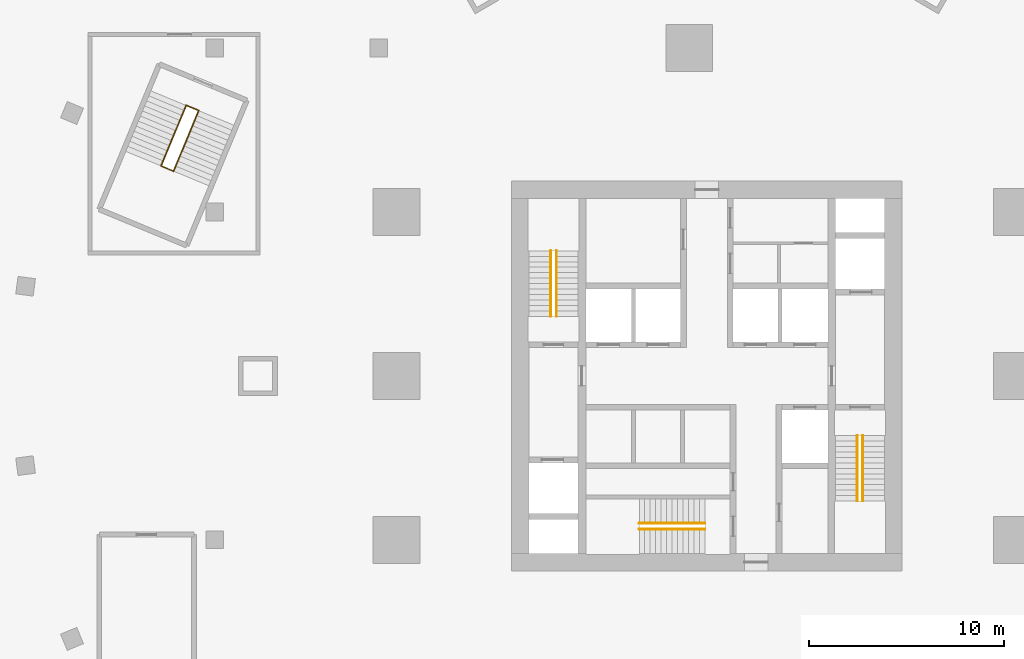
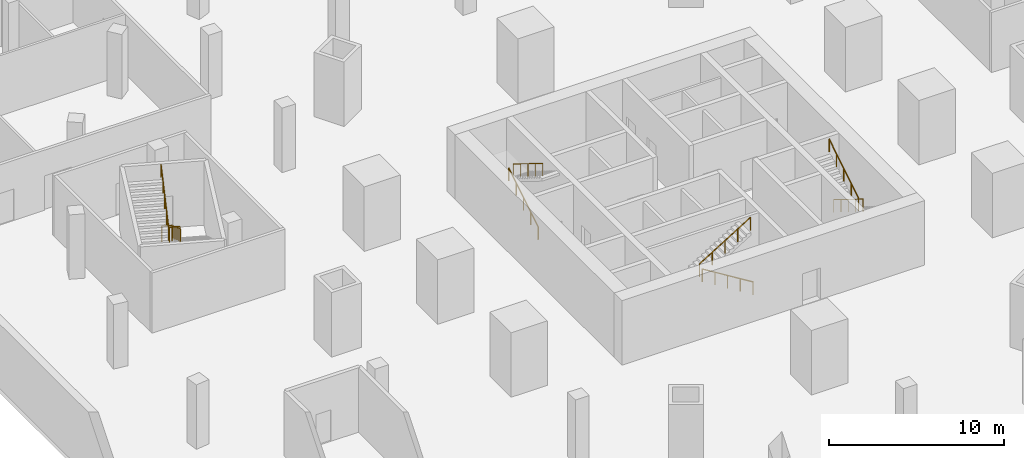
# One storey, part 8 of 9: 10 railings.
"""IFC4 building model written with IfcOpenShell, lengths in metres."""

from ifc_helpers import new_model, si_unit, direction, frame, origin, origin_2d, place, context, subcontext, project, spatial, circle, extrude, material, type_object, element, save


model = new_model("IFC4")

# Units and contexts
model_context = context("Model", 3, precision=1e-05, world=origin(), true_north=direction((0.0, 1.0)))
body_context = subcontext(model_context, "Body", "Model", "MODEL_VIEW")
ifc_project = project(units=[si_unit("LENGTHUNIT", "METRE"), si_unit("AREAUNIT", "SQUARE_METRE"), si_unit("VOLUMEUNIT", "CUBIC_METRE"), si_unit("PLANEANGLEUNIT", "RADIAN"), si_unit("MASSUNIT", "GRAM", prefix="KILO")], contexts=[model_context])

# Site, building, storey
site_placement = place(None, origin())
site = spatial("IfcSite", under=ifc_project, at=site_placement, CompositionType="ELEMENT")
building_placement = place(site_placement, origin())
building = spatial("IfcBuilding", under=site, at=building_placement, Name="Golbaran Civic Tower", CompositionType="ELEMENT")
storey_placement = place(building_placement, frame((0.0, 0.0, -9.0)))
storey = spatial("IfcBuildingStorey", under=building, at=storey_placement, Name="B2", CompositionType="ELEMENT", Elevation=-9.0)

# Railings
ifc_material_1 = material(Name="Steel balustrade", Category="steel")
railing_type_1 = type_object("IfcRailingType", Name="STAIR GUARD 1100", PredefinedType="GUARDRAIL", material=ifc_material_1)
for number, where, name in (
    (1, (-26.07470703125, 13.61474609375, 0.0), "Stair P2 well guard floor landing B2"),
    (2, (-27.360595703125, 10.510498046875, 2.25), "Stair P2 well guard half landing B2"),
):
    element("IfcRailing", number, at=place(storey_placement, frame(where)), inside=storey, type_object=railing_type_1, Name=name, PredefinedType="GUARDRAIL", context=body_context, shape_type="SweptSolid", body=[
        extrude(circle(Radius=0.02392578125, at=origin_2d()), frame((0.0, 0.0, 1.076171875), z_axis=(-0.923917630863, 0.382591441855, 0.0), x_axis=(-0.382591441855, -0.923917630863, 0.0)), (0.0, 0.0, 1.0), 0.599853515625),
        extrude(circle(Radius=0.02099609375, at=origin_2d()), origin(), (0.0, 0.0, 1.0), 1.052001953125),
        extrude(circle(Radius=0.02099609375, at=origin_2d()), frame((-0.55419921875, 0.2294921875, 0.0)), (0.0, 0.0, 1.0), 1.052001953125),
    ])
ifc_material_2 = material(Name="Stainless steel", Category="steel")
railing_type_2 = type_object("IfcRailingType", Name="STAIR HANDRAIL 900", PredefinedType="HANDRAIL", material=ifc_material_2)
railing_1_placement = place(storey_placement, frame((-8.0, 3.050048828125, 0.173095703125)))
element("IfcRailing", 3, at=railing_1_placement, inside=storey, type_object=railing_type_2, Name="Stair S1 handrail flight 1 B2", PredefinedType="HANDRAIL", context=body_context, shape_type="SweptSolid", body=[
    extrude(circle(Radius=0.02392578125, at=origin_2d()), frame((0.0, 0.0, 0.8759765625), z_axis=(0.0, 0.850606129759, 0.525803396734), x_axis=(-1.0, 0.0, 0.0)), (0.0, 0.0, 1.0), 3.949951171875),
    extrude(circle(Radius=0.02099609375, at=origin_2d()), origin(), (0.0, 0.0, 1.0), 0.851806640625),
    extrude(circle(Radius=0.02099609375, at=origin_2d()), frame((0.0, 0.83984375, 0.519287109375)), (0.0, 0.0, 1.0), 0.851806640625),
    extrude(circle(Radius=0.02099609375, at=origin_2d()), frame((0.0, 1.679931640625, 1.03857421875)), (0.0, 0.0, 1.0), 0.851806640625),
    extrude(circle(Radius=0.02099609375, at=origin_2d()), frame((0.0, 2.52001953125, 1.5576171875)), (0.0, 0.0, 1.0), 0.851806640625),
    extrude(circle(Radius=0.02099609375, at=origin_2d()), frame((0.0, 3.35986328125, 2.076904296875)), (0.0, 0.0, 1.0), 0.851806640625),
])
for number, where, name in (
    (4, (-7.699951171875, 6.409912109375, 2.423095703125), "Stair S1 handrail flight 2 B2"),
    (5, (8.0, -3.050048828125, 0.173095703125), "Stair S2 handrail flight 1 B2"),
):
    element("IfcRailing", number, at=place(storey_placement, frame(where)), inside=storey, type_object=railing_type_2, Name=name, PredefinedType="HANDRAIL", context=body_context, shape_type="SweptSolid", body=[
        extrude(circle(Radius=0.02392578125, at=origin_2d()), frame((0.0, 0.0, 0.8759765625), z_axis=(0.0, -0.850606129759, 0.525803396734), x_axis=(1.0, 0.0, 0.0)), (0.0, 0.0, 1.0), 3.949951171875),
        extrude(circle(Radius=0.02099609375, at=origin_2d()), origin(), (0.0, 0.0, 1.0), 0.851806640625),
        extrude(circle(Radius=0.02099609375, at=origin_2d()), frame((0.0, -0.83984375, 0.519287109375)), (0.0, 0.0, 1.0), 0.851806640625),
        extrude(circle(Radius=0.02099609375, at=origin_2d()), frame((0.0, -1.679931640625, 1.03857421875)), (0.0, 0.0, 1.0), 0.851806640625),
        extrude(circle(Radius=0.02099609375, at=origin_2d()), frame((0.0, -2.52001953125, 1.5576171875)), (0.0, 0.0, 1.0), 0.851806640625),
        extrude(circle(Radius=0.02099609375, at=origin_2d()), frame((0.0, -3.35986328125, 2.076904296875)), (0.0, 0.0, 1.0), 0.851806640625),
    ])
railing_2_placement = place(storey_placement, frame((7.699951171875, -6.409912109375, 2.423095703125)))
element("IfcRailing", 6, at=railing_2_placement, inside=storey, type_object=railing_type_2, Name="Stair S2 handrail flight 2 B2", PredefinedType="HANDRAIL", context=body_context, shape_type="SweptSolid", body=[
    extrude(circle(Radius=0.02392578125, at=origin_2d()), frame((0.0, 0.0, 0.8759765625), z_axis=(0.0, 0.850606129759, 0.525803396734), x_axis=(-1.0, 0.0, 0.0)), (0.0, 0.0, 1.0), 3.949951171875),
    extrude(circle(Radius=0.02099609375, at=origin_2d()), origin(), (0.0, 0.0, 1.0), 0.851806640625),
    extrude(circle(Radius=0.02099609375, at=origin_2d()), frame((0.0, 0.83984375, 0.519287109375)), (0.0, 0.0, 1.0), 0.851806640625),
    extrude(circle(Radius=0.02099609375, at=origin_2d()), frame((0.0, 1.679931640625, 1.03857421875)), (0.0, 0.0, 1.0), 0.851806640625),
    extrude(circle(Radius=0.02099609375, at=origin_2d()), frame((0.0, 2.52001953125, 1.5576171875)), (0.0, 0.0, 1.0), 0.851806640625),
    extrude(circle(Radius=0.02099609375, at=origin_2d()), frame((0.0, 3.35986328125, 2.076904296875)), (0.0, 0.0, 1.0), 0.851806640625),
])
railing_3_placement = place(storey_placement, frame((-0.10009765625, -7.85009765625, 0.173095703125)))
element("IfcRailing", 7, at=railing_3_placement, inside=storey, type_object=railing_type_2, Name="Stair S3 handrail flight 1 B2", PredefinedType="HANDRAIL", context=body_context, shape_type="SweptSolid", body=[
    extrude(circle(Radius=0.02392578125, at=origin_2d()), frame((0.0, 0.0, 0.8759765625), z_axis=(-0.850606129759, 0.0, 0.525803396734), x_axis=(0.0, -1.0, 0.0)), (0.0, 0.0, 1.0), 3.949951171875),
    extrude(circle(Radius=0.02099609375, at=origin_2d()), origin(), (0.0, 0.0, 1.0), 0.851806640625),
    extrude(circle(Radius=0.02099609375, at=origin_2d()), frame((-0.83984375, 0.0, 0.519287109375)), (0.0, 0.0, 1.0), 0.851806640625),
    extrude(circle(Radius=0.02099609375, at=origin_2d()), frame((-1.679931640625, 0.0, 1.03857421875)), (0.0, 0.0, 1.0), 0.851806640625),
    extrude(circle(Radius=0.02099609375, at=origin_2d()), frame((-2.52001953125, 0.0, 1.5576171875)), (0.0, 0.0, 1.0), 0.851806640625),
    extrude(circle(Radius=0.02099609375, at=origin_2d()), frame((-3.35986328125, 0.0, 2.076904296875)), (0.0, 0.0, 1.0), 0.851806640625),
])
railing_4_placement = place(storey_placement, frame((-3.4599609375, -7.550048828125, 2.423095703125)))
element("IfcRailing", 8, at=railing_4_placement, inside=storey, type_object=railing_type_2, Name="Stair S3 handrail flight 2 B2", PredefinedType="HANDRAIL", context=body_context, shape_type="SweptSolid", body=[
    extrude(circle(Radius=0.02392578125, at=origin_2d()), frame((0.0, 0.0, 0.8759765625), z_axis=(0.850606129759, 0.0, 0.525803396734), x_axis=(0.0, 1.0, 0.0)), (0.0, 0.0, 1.0), 3.949951171875),
    extrude(circle(Radius=0.02099609375, at=origin_2d()), origin(), (0.0, 0.0, 1.0), 0.851806640625),
    extrude(circle(Radius=0.02099609375, at=origin_2d()), frame((0.83984375, 0.0, 0.519287109375)), (0.0, 0.0, 1.0), 0.851806640625),
    extrude(circle(Radius=0.02099609375, at=origin_2d()), frame((1.679931640625, 0.0, 1.03857421875)), (0.0, 0.0, 1.0), 0.851806640625),
    extrude(circle(Radius=0.02099609375, at=origin_2d()), frame((2.52001953125, 0.0, 1.5576171875)), (0.0, 0.0, 1.0), 0.851806640625),
    extrude(circle(Radius=0.02099609375, at=origin_2d()), frame((3.35986328125, 0.0, 2.076904296875)), (0.0, 0.0, 1.0), 0.851806640625),
])
railing_5_placement = place(storey_placement, frame((-26.028564453125, 13.595458984375, 0.173095703125)))
element("IfcRailing", 9, at=railing_5_placement, inside=storey, type_object=railing_type_2, Name="Stair P2 handrail flight 1 B2", PredefinedType="HANDRAIL", context=body_context, shape_type="SweptSolid", body=[
    extrude(circle(Radius=0.02392578125, at=origin_2d()), frame((0.0, 0.0, 0.8759765625), z_axis=(-0.325492629676, -0.785855164015, 0.525819559562), x_axis=(0.923887528372, -0.38266412808, 0.0)), (0.0, 0.0, 1.0), 3.949951171875),
    extrude(circle(Radius=0.02099609375, at=origin_2d()), origin(), (0.0, 0.0, 1.0), 0.851806640625),
    extrude(circle(Radius=0.02099609375, at=origin_2d()), frame((-0.3212890625, -0.77587890625, 0.519287109375)), (0.0, 0.0, 1.0), 0.851806640625),
    extrude(circle(Radius=0.02099609375, at=origin_2d()), frame((-0.642822265625, -1.552001953125, 1.03857421875)), (0.0, 0.0, 1.0), 0.851806640625),
    extrude(circle(Radius=0.02099609375, at=origin_2d()), frame((-0.96435546875, -2.328125, 1.5576171875)), (0.0, 0.0, 1.0), 0.851806640625),
    extrude(circle(Radius=0.02099609375, at=origin_2d()), frame((-1.28564453125, -3.10400390625, 2.076904296875)), (0.0, 0.0, 1.0), 0.851806640625),
])
railing_6_placement = place(storey_placement, frame((-27.9609375, 10.75927734375, 2.423095703125)))
element("IfcRailing", 10, at=railing_6_placement, inside=storey, type_object=railing_type_2, Name="Stair P2 handrail flight 2 B2", PredefinedType="HANDRAIL", context=body_context, shape_type="SweptSolid", body=[
    extrude(circle(Radius=0.02392578125, at=origin_2d()), frame((0.0, 0.0, 0.8759765625), z_axis=(0.325476819766, 0.785878800478, 0.525794019321), x_axis=(-0.923898168054, 0.382638439086, 0.0)), (0.0, 0.0, 1.0), 3.949951171875),
    extrude(circle(Radius=0.02099609375, at=origin_2d()), origin(), (0.0, 0.0, 1.0), 0.851806640625),
    extrude(circle(Radius=0.02099609375, at=origin_2d()), frame((0.3212890625, 0.776123046875, 0.519287109375)), (0.0, 0.0, 1.0), 0.851806640625),
    extrude(circle(Radius=0.02099609375, at=origin_2d()), frame((0.642822265625, 1.55224609375, 1.03857421875)), (0.0, 0.0, 1.0), 0.851806640625),
    extrude(circle(Radius=0.02099609375, at=origin_2d()), frame((0.96435546875, 2.328125, 1.5576171875)), (0.0, 0.0, 1.0), 0.851806640625),
    extrude(circle(Radius=0.02099609375, at=origin_2d()), frame((1.28564453125, 3.104248046875, 2.076904296875)), (0.0, 0.0, 1.0), 0.851806640625),
])

save(model, "model.ifc")
